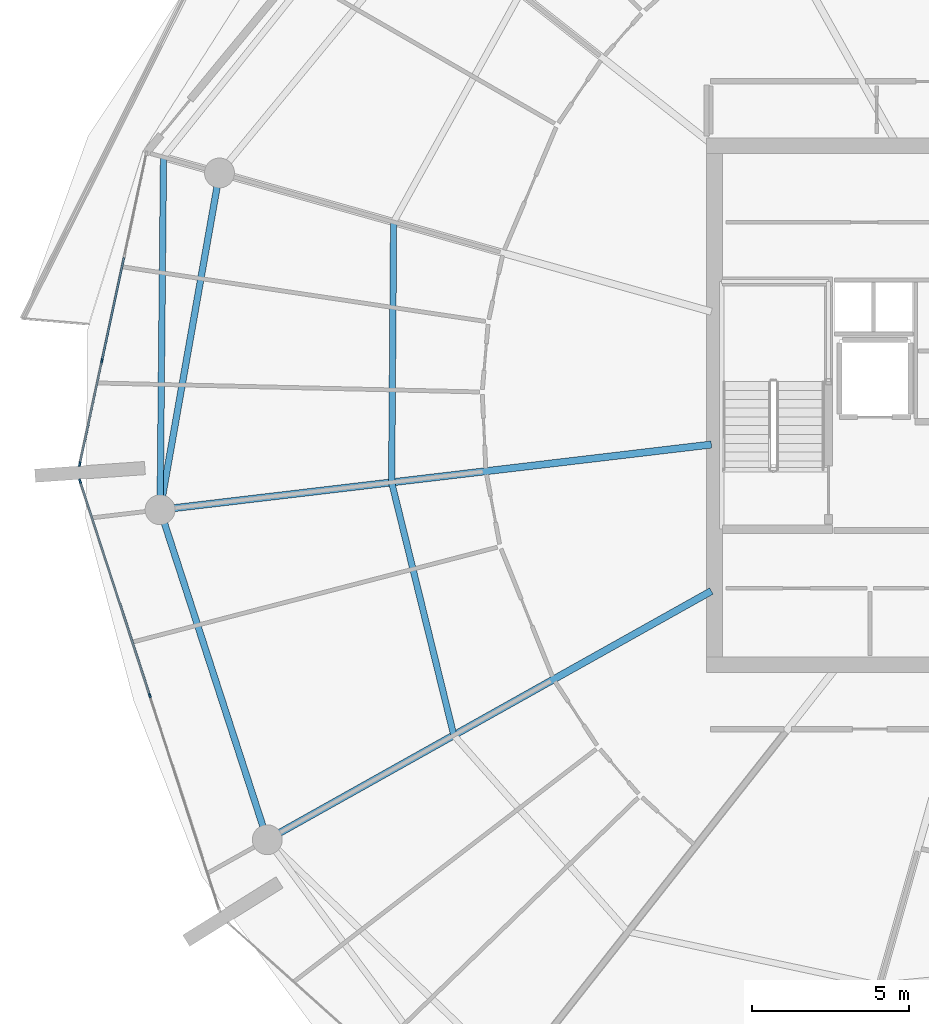
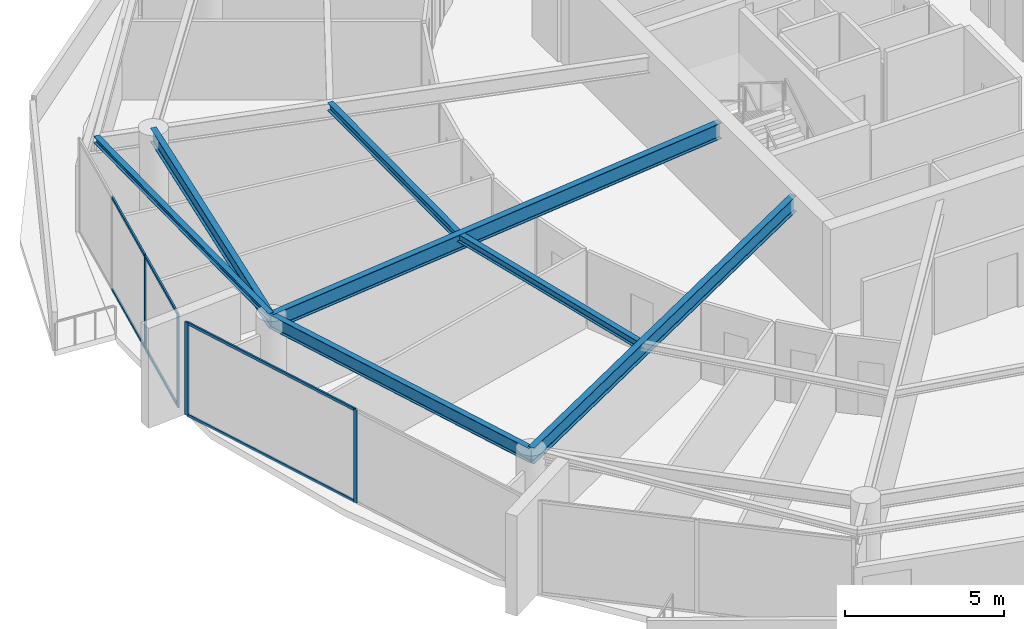
# One storey, part 7 of 29: 10 members, 7 beams, 2 elements without a shape of their own.
"""IFC4 building model written with IfcOpenShell, lengths in metres."""

from ifc_helpers import new_model, si_unit, direction, frame, origin, origin_2d, place, context, subcontext, project, spatial, rectangle, i_section, extrude, material, layer, layer_set, material_profile, profile_set, type_object, element, aggregate, save


model = new_model("IFC4")

# Units and contexts
model_context = context("Model", 3, precision=1e-05, world=origin(), true_north=direction((0.0, 1.0)))
body_context = subcontext(model_context, "Body", "Model", "MODEL_VIEW")
ifc_project = project(units=[si_unit("LENGTHUNIT", "METRE"), si_unit("AREAUNIT", "SQUARE_METRE"), si_unit("VOLUMEUNIT", "CUBIC_METRE"), si_unit("PLANEANGLEUNIT", "RADIAN"), si_unit("MASSUNIT", "GRAM", prefix="KILO")], contexts=[model_context])

# Site, building, storey
site_placement = place(None, origin())
site = spatial("IfcSite", under=ifc_project, at=site_placement, CompositionType="ELEMENT")
building_placement = place(site_placement, origin())
building = spatial("IfcBuilding", under=site, at=building_placement, Name="Kazma Halo Residences", CompositionType="ELEMENT")
storey_placement = place(building_placement, frame((0.0, 0.0, 282.89990234375)))
storey = spatial("IfcBuildingStorey", under=building, at=storey_placement, Name="L71", CompositionType="ELEMENT", Elevation=282.89990234375)

# Beams
ifc_material_1 = material(Name="Steel S355", Category="steel")
ifc_material_profile_1 = material_profile(ifc_material_1, i_section(OverallWidth=0.201904296875, OverallDepth=0.2470703125, WebThickness=0.00732421875, FlangeThickness=0.010986328125, FilletRadius=0.011962890625, at=origin_2d()), Name="W250x49.1")
ifc_profile_set_1 = profile_set([ifc_material_profile_1], Name="Steel S355")
beam_type_1 = type_object("IfcBeamType", Name="BM-BAL-CANT", PredefinedType="BEAM", material=ifc_profile_set_1)
beam_1_placement = place(storey_placement, frame((20.028564453125, 49.888916015625, 3.466552734375), z_axis=(-0.009645503464, -0.999953481049, 0.0), x_axis=(0.999953481049, -0.009645503464, 0.0)))
element("IfcBeam", 1, at=beam_1_placement, inside=storey, type_object=beam_type_1, Name="L71 wave-balcony tie beam 07", PredefinedType="BEAM", context=body_context, shape_type="SweptSolid", body=[
    extrude(i_section(OverallWidth=0.201904296875, OverallDepth=0.2470703125, WebThickness=0.00732421875, FlangeThickness=0.010986328125, FilletRadius=0.011962890625, at=origin_2d()), origin(), (0.0, 0.0, 1.0), 11.212890625),
])
ifc_material_profile_2 = material_profile(ifc_material_1, i_section(OverallWidth=0.22802734375, OverallDepth=0.60791015625, WebThickness=0.01123046875, FlangeThickness=0.017333984375, FilletRadius=0.01806640625, at=origin_2d()), Name="W610x113")
ifc_profile_set_2 = profile_set([ifc_material_profile_2], Name="Steel S355")
beam_type_2 = type_object("IfcBeamType", Name="BM-RAD-W610", PredefinedType="BEAM", material=ifc_profile_set_2)
beam_2_placement = place(storey_placement, frame((37.449951171875, 40.751220703125, 3.2861328125), z_axis=(-0.993068793341, -0.11753455531, 0.0), x_axis=(0.11753455531, -0.993068793341, 0.0)))
element("IfcBeam", 2, at=beam_2_placement, inside=storey, type_object=beam_type_2, Name="L71 radial floor beam 08", PredefinedType="BEAM", context=body_context, shape_type="SweptSolid", body=[
    extrude(i_section(OverallWidth=0.22802734375, OverallDepth=0.60791015625, WebThickness=0.01123046875, FlangeThickness=0.017333984375, FilletRadius=0.01806640625, at=origin_2d()), origin(), (0.0, 0.0, 1.0), 17.65185546875),
])
beam_3_placement = place(storey_placement, frame((37.449951171875, 36.091796875, 3.2861328125), z_axis=(-0.872497784052, -0.488618068459, 0.0), x_axis=(0.488618068459, -0.872497784052, 0.0)))
element("IfcBeam", 3, at=beam_3_placement, inside=storey, type_object=beam_type_2, Name="L71 radial floor beam 09", PredefinedType="BEAM", context=body_context, shape_type="SweptSolid", body=[
    extrude(i_section(OverallWidth=0.22802734375, OverallDepth=0.60791015625, WebThickness=0.01123046875, FlangeThickness=0.017333984375, FilletRadius=0.01806640625, at=origin_2d()), origin(), (0.0, 0.0, 1.0), 16.183837890625),
])
ifc_material_profile_3 = material_profile(ifc_material_1, i_section(OverallWidth=0.202880859375, OverallDepth=0.302978515625, WebThickness=0.007568359375, FlangeThickness=0.01318359375, FilletRadius=0.013916015625, at=origin_2d()), Name="W310x60")
ifc_profile_set_3 = profile_set([ifc_material_profile_3], Name="Steel S355")
beam_type_3 = type_object("IfcBeamType", Name="BM-SEC-W310A", PredefinedType="JOIST", material=ifc_profile_set_3)
beam_4_placement = place(storey_placement, frame((27.345458984375, 47.8251953125, 3.4384765625), z_axis=(-0.007550738936, -0.999971492764, 0.0), x_axis=(0.999971492764, -0.007550738936, 0.0)))
element("IfcBeam", 4, at=beam_4_placement, inside=storey, type_object=beam_type_3, Name="L71 circumferential floor joist 07", PredefinedType="JOIST", context=body_context, shape_type="SweptSolid", body=[
    extrude(i_section(OverallWidth=0.202880859375, OverallDepth=0.302978515625, WebThickness=0.007568359375, FlangeThickness=0.01318359375, FilletRadius=0.013916015625, at=origin_2d()), origin(), (0.0, 0.0, 1.0), 8.27734375),
])
beam_5_placement = place(storey_placement, frame((27.282958984375, 39.548095703125, 3.4384765625), z_axis=(0.238732984375, -0.971085249693, 0.0), x_axis=(0.971085249693, 0.238732984375, 0.0)))
element("IfcBeam", 5, at=beam_5_placement, inside=storey, type_object=beam_type_3, Name="L71 circumferential floor joist 08", PredefinedType="JOIST", context=body_context, shape_type="SweptSolid", body=[
    extrude(i_section(OverallWidth=0.202880859375, OverallDepth=0.302978515625, WebThickness=0.007568359375, FlangeThickness=0.01318359375, FilletRadius=0.013916015625, at=origin_2d()), origin(), (0.0, 0.0, 1.0), 8.282470703125),
])
ifc_material_profile_4 = material_profile(ifc_material_1, i_section(OverallWidth=0.208984375, OverallDepth=0.532958984375, WebThickness=0.01025390625, FlangeThickness=0.015625, FilletRadius=0.01611328125, at=origin_2d()), Name="W530x92")
ifc_profile_set_4 = profile_set([ifc_material_profile_4], Name="Steel S355")
beam_type_4 = type_object("IfcBeamType", Name="BM-SPN-W530", PredefinedType="BEAM", material=ifc_profile_set_4)
beam_6_placement = place(storey_placement, frame((21.80908203125, 49.38671875, 3.323486328125), z_axis=(-0.173663672311, -0.984805020763, 0.0), x_axis=(0.984805020763, -0.173663672311, 0.0)))
element("IfcBeam", 6, at=beam_6_placement, inside=storey, type_object=beam_type_4, Name="L71 perimeter ring beam 07", PredefinedType="BEAM", context=body_context, shape_type="SweptSolid", body=[
    extrude(i_section(OverallWidth=0.208984375, OverallDepth=0.532958984375, WebThickness=0.01025390625, FlangeThickness=0.015625, FilletRadius=0.01611328125, at=origin_2d()), origin(), (0.0, 0.0, 1.0), 10.87548828125),
])
beam_7_placement = place(storey_placement, frame((19.92041015625, 38.676513671875, 3.323486328125), z_axis=(0.309015517474, -0.951056996168, 0.0), x_axis=(0.951056996168, 0.309015517474, 0.0)))
element("IfcBeam", 7, at=beam_7_placement, inside=storey, type_object=beam_type_4, Name="L71 perimeter ring beam 08", PredefinedType="BEAM", context=body_context, shape_type="SweptSolid", body=[
    extrude(i_section(OverallWidth=0.208984375, OverallDepth=0.532958984375, WebThickness=0.01025390625, FlangeThickness=0.015625, FilletRadius=0.01611328125, at=origin_2d()), origin(), (0.0, 0.0, 1.0), 11.032470703125),
])

# Curtain wall, members
ifc_material_2 = material(Name="Aluminium AW-6063 T6 and Triple-Silver Low-E Glass", Category="aluminium")
ifc_layer = layer(ifc_material_2, 0.139892578125)
ifc_layer_set = layer_set([ifc_layer], Name="Aluminium AW-6063 T6 and Triple-Silver Low-E Glass")
curtain_wall_type = type_object("IfcCurtainWallType", Name="CW-SYS-5", PredefinedType="NOTDEFINED", material=ifc_layer_set)
curtain_wall_1_placement = place(storey_placement, origin())
curtain_wall_1 = element("IfcCurtainWall", 8, at=curtain_wall_1_placement, inside=storey, type_object=curtain_wall_type, Name="L71 unitised curtain wall B07", PredefinedType="NOTDEFINED")
ifc_material_3 = material(Name="Aluminium AW-6063 T6", Category="aluminium")
ifc_material_profile_5 = material_profile(ifc_material_3, rectangle(XDim=0.06005859375, YDim=0.139892578125, at=origin_2d()), Name="CWM-60x140")
ifc_profile_set_5 = profile_set([ifc_material_profile_5], Name="Aluminium AW-6063 T6")
member_type_1 = type_object("IfcMemberType", Name="CW-SYS-5-MUL", PredefinedType="MULLION", material=ifc_profile_set_5)
member_1_placement = place(storey_placement, frame((18.0703125, 43.412841796875, 0.0), z_axis=(0.0, 0.0, 1.0), x_axis=(0.97777491373, -0.209657382603, 0.0)))
member_1 = element("IfcMember", 9, at=member_1_placement, type_object=member_type_1, Name="CWS-5 mullion 3", PredefinedType="MULLION", context=body_context, shape_type="SweptSolid", body=[
    extrude(rectangle(XDim=0.06005859375, YDim=0.139892578125, at=origin_2d()), origin(), (0.0, 0.0, 1.0), 3.590087890625),
])
member_2_placement = place(storey_placement, frame((17.3662109375, 40.12841796875, 0.0), z_axis=(0.0, 0.0, 1.0), x_axis=(0.97777491373, -0.209657382603, 0.0)))
member_2 = element("IfcMember", 10, at=member_2_placement, type_object=member_type_1, Name="CWS-5 mullion 4", PredefinedType="MULLION", context=body_context, shape_type="SweptSolid", body=[
    extrude(rectangle(XDim=0.06005859375, YDim=0.139892578125, at=origin_2d()), origin(), (0.0, 0.0, 1.0), 3.590087890625),
])

curtain_wall_2_placement = place(storey_placement, origin())
curtain_wall_2 = element("IfcCurtainWall", 11, at=curtain_wall_2_placement, inside=storey, type_object=curtain_wall_type, Name="L71 unitised curtain wall B08", PredefinedType="NOTDEFINED")
member_3_placement = place(storey_placement, frame((17.377197265625, 39.587646484375, 0.0), z_axis=(0.0, 0.0, 1.0), x_axis=(0.951058464359, 0.309010998786, 0.0)))
member_3 = element("IfcMember", 12, at=member_3_placement, type_object=member_type_1, Name="CWS-5 mullion 1", PredefinedType="MULLION", context=body_context, shape_type="SweptSolid", body=[
    extrude(rectangle(XDim=0.06005859375, YDim=0.139892578125, at=origin_2d()), origin(), (0.0, 0.0, 1.0), 3.590087890625),
])
member_4_placement = place(storey_placement, frame((19.59228515625, 32.769775390625, 0.0), z_axis=(0.0, 0.0, 1.0), x_axis=(0.951058464359, 0.309010998786, 0.0)))
member_4 = element("IfcMember", 13, at=member_4_placement, type_object=member_type_1, Name="CWS-5 mullion 2", PredefinedType="MULLION", context=body_context, shape_type="SweptSolid", body=[
    extrude(rectangle(XDim=0.06005859375, YDim=0.139892578125, at=origin_2d()), origin(), (0.0, 0.0, 1.0), 3.590087890625),
])

# Member
ifc_material_profile_6 = material_profile(ifc_material_3, rectangle(XDim=0.06005859375, YDim=0.10498046875, at=origin_2d()), Name="CWT-60x105")
ifc_profile_set_6 = profile_set([ifc_material_profile_6], Name="Aluminium AW-6063 T6")
member_type_2 = type_object("IfcMemberType", Name="CW-SYS-5-TRN", PredefinedType="USERDEFINED", material=ifc_profile_set_6)
member_5_placement = place(storey_placement, frame((18.774658203125, 46.697265625, 0.030029296875), z_axis=(-0.209664309019, -0.977773428522, 0.0), x_axis=(0.977773428522, -0.209664309019, 0.0)))
member_5 = element("IfcMember", 14, at=member_5_placement, type_object=member_type_2, Name="CWS-5 transom 2.1", ObjectType="TRANSOM", PredefinedType="USERDEFINED", context=body_context, shape_type="SweptSolid", body=[
    extrude(rectangle(XDim=0.06005859375, YDim=0.10498046875, at=origin_2d()), origin(), (0.0, 0.0, 1.0), 3.3291015625),
])

member_6_placement = place(storey_placement, frame((18.774658203125, 46.697265625, 3.56005859375), z_axis=(-0.209664309019, -0.977773428522, 0.0), x_axis=(0.977773428522, -0.209664309019, 0.0)))
member_6 = element("IfcMember", 15, at=member_6_placement, type_object=member_type_2, Name="CWS-5 transom 2.2", ObjectType="TRANSOM", PredefinedType="USERDEFINED", context=body_context, shape_type="SweptSolid", body=[
    extrude(rectangle(XDim=0.06005859375, YDim=0.10498046875, at=origin_2d()), origin(), (0.0, 0.0, 1.0), 3.3291015625),
])

member_7_placement = place(storey_placement, frame((18.064208984375, 43.383544921875, 0.030029296875), z_axis=(-0.209645323239, -0.977777499457, 0.0), x_axis=(0.977777499457, -0.209645323239, 0.0)))
member_7 = element("IfcMember", 16, at=member_7_placement, type_object=member_type_2, Name="CWS-5 transom 3.1", ObjectType="TRANSOM", PredefinedType="USERDEFINED", context=body_context, shape_type="SweptSolid", body=[
    extrude(rectangle(XDim=0.06005859375, YDim=0.10498046875, at=origin_2d()), origin(), (0.0, 0.0, 1.0), 3.299072265625),
])

member_8_placement = place(storey_placement, frame((18.064208984375, 43.383544921875, 3.56005859375), z_axis=(-0.209645323239, -0.977777499457, 0.0), x_axis=(0.977777499457, -0.209645323239, 0.0)))
member_8 = element("IfcMember", 17, at=member_8_placement, type_object=member_type_2, Name="CWS-5 transom 3.2", ObjectType="TRANSOM", PredefinedType="USERDEFINED", context=body_context, shape_type="SweptSolid", body=[
    extrude(rectangle(XDim=0.06005859375, YDim=0.10498046875, at=origin_2d()), origin(), (0.0, 0.0, 1.0), 3.299072265625),
])

aggregate(curtain_wall_1, [member_1, member_2, member_5, member_6, member_7, member_8])

member_9_placement = place(storey_placement, frame((17.386474609375, 39.55908203125, 0.030029296875), z_axis=(0.308995987448, -0.951063341603, 0.0), x_axis=(0.951063341603, 0.308995987448, 0.0)))
member_9 = element("IfcMember", 18, at=member_9_placement, type_object=member_type_2, Name="CWS-5 transom 1.1", ObjectType="TRANSOM", PredefinedType="USERDEFINED", context=body_context, shape_type="SweptSolid", body=[
    extrude(rectangle(XDim=0.06005859375, YDim=0.10498046875, at=origin_2d()), origin(), (0.0, 0.0, 1.0), 7.108642578125),
])

member_10_placement = place(storey_placement, frame((17.386474609375, 39.55908203125, 3.56005859375), z_axis=(0.308995987448, -0.951063341603, 0.0), x_axis=(0.951063341603, 0.308995987448, 0.0)))
member_10 = element("IfcMember", 19, at=member_10_placement, type_object=member_type_2, Name="CWS-5 transom 1.2", ObjectType="TRANSOM", PredefinedType="USERDEFINED", context=body_context, shape_type="SweptSolid", body=[
    extrude(rectangle(XDim=0.06005859375, YDim=0.10498046875, at=origin_2d()), origin(), (0.0, 0.0, 1.0), 7.108642578125),
])

aggregate(curtain_wall_2, [member_3, member_4, member_9, member_10])

save(model, "model.ifc")
